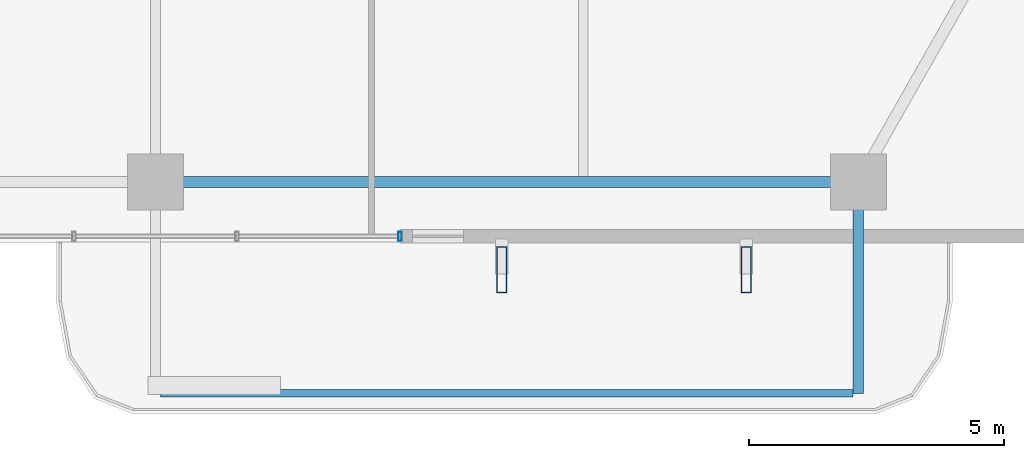
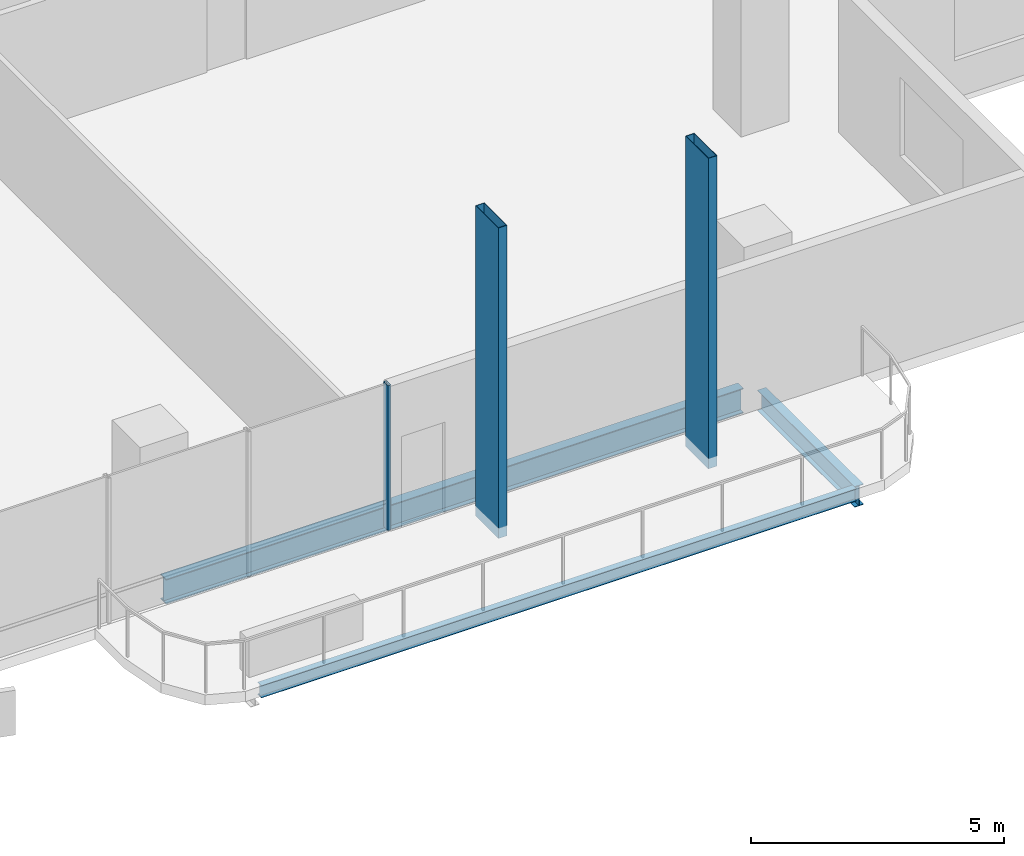
# One storey, part 6 of 24: 3 beams, 3 members, 1 element without a shape of its own.
"""IFC4 building model written with IfcOpenShell, lengths in metres."""

from ifc_helpers import new_model, si_unit, direction, frame, origin, origin_2d, place, context, subcontext, project, spatial, hollow_rectangle, i_section, extrude, material, layer, layer_set, material_profile, profile_set, type_object, element, aggregate, save


model = new_model("IFC4")

# Units and contexts
model_context = context("Model", 3, precision=1e-05, world=origin(), true_north=direction((0.0, 1.0)))
body_context = subcontext(model_context, "Body", "Model", "MODEL_VIEW")
ifc_project = project(units=[si_unit("LENGTHUNIT", "METRE"), si_unit("AREAUNIT", "SQUARE_METRE"), si_unit("VOLUMEUNIT", "CUBIC_METRE"), si_unit("PLANEANGLEUNIT", "RADIAN"), si_unit("MASSUNIT", "GRAM", prefix="KILO")], contexts=[model_context])

# Site, building, storey
site_placement = place(None, origin())
site = spatial("IfcSite", under=ifc_project, at=site_placement, CompositionType="ELEMENT")
building_placement = place(site_placement, origin())
building = spatial("IfcBuilding", under=site, at=building_placement, Name="Belovzor Exchange Tower", CompositionType="ELEMENT")
storey_placement = place(building_placement, frame((0.0, 0.0, 203.699951171875)))
storey = spatial("IfcBuildingStorey", under=building, at=storey_placement, Name="L50", CompositionType="ELEMENT", Elevation=203.699951171875)

# Beams
ifc_material_1 = material(Name="Steel S355", Category="steel")
ifc_material_profile_1 = material_profile(ifc_material_1, i_section(OverallWidth=0.199951171875, OverallDepth=0.5, WebThickness=0.01025390625, FlangeThickness=0.01611328125, at=origin_2d()))
ifc_profile_set_1 = profile_set([ifc_material_profile_1], Name="Steel S355")
beam_type_1 = type_object("IfcBeamType", Name="Planted Balcony Cantilever Beam IPE 500", PredefinedType="BEAM", material=ifc_profile_set_1)
beam_1_placement = place(storey_placement, frame((42.60009765625, 2.697021484375, -0.5), z_axis=(0.0, -1.0, 0.0), x_axis=(1.0, 0.0, 0.0)))
element("IfcBeam", 1, at=beam_1_placement, inside=storey, type_object=beam_type_1, Name="BC-500 Planted Balcony Cantilever Beam IPE 500", PredefinedType="BEAM", context=body_context, shape_type="SweptSolid", body=[
    extrude(i_section(OverallWidth=0.199951171875, OverallDepth=0.5, WebThickness=0.01025390625, FlangeThickness=0.01611328125, at=origin_2d()), origin(), (0.0, 0.0, 1.0), 3.85009765625),
])
ifc_material_2 = material(Name="Steel S355", Category="steel")
ifc_material_profile_2 = material_profile(ifc_material_2, i_section(OverallWidth=0.14990234375, OverallDepth=0.300048828125, WebThickness=0.007080078125, FlangeThickness=0.0107421875, at=origin_2d()))
ifc_profile_set_2 = profile_set([ifc_material_profile_2], Name="Steel S355")
beam_type_2 = type_object("IfcBeamType", Name="Planted Balcony Fascia Edge Beam IPE 300", PredefinedType="BEAM", material=ifc_profile_set_2)
beam_2_placement = place(storey_placement, frame((28.89990234375, -1.153076171875, -0.39990234375), z_axis=(1.0, 0.0, 0.0), x_axis=(0.0, 1.0, 0.0)))
element("IfcBeam", 2, at=beam_2_placement, inside=storey, type_object=beam_type_2, Name="BC-300 Planted Balcony Fascia Edge Beam IPE 300", PredefinedType="BEAM", context=body_context, shape_type="SweptSolid", body=[
    extrude(i_section(OverallWidth=0.14990234375, OverallDepth=0.300048828125, WebThickness=0.007080078125, FlangeThickness=0.0107421875, at=origin_2d()), origin(), (0.0, 0.0, 1.0), 13.60009765625),
])

# Members
ifc_material_3 = material(Name="Extruded Architectural Terracotta on Steel S355 Carrier", Category="masonry")
ifc_material_profile_3 = material_profile(ifc_material_3, hollow_rectangle(XDim=0.199951171875, YDim=0.89990234375, WallThickness=0.011962890625, at=origin_2d()))
ifc_profile_set_3 = profile_set([ifc_material_profile_3], Name="Extruded Architectural Terracotta on Steel S355 Carrier")
member_type_1 = type_object("IfcMemberType", Name="Sweeping Terracotta Baguette Fin Assembly 950", PredefinedType="USERDEFINED", material=ifc_profile_set_3)
for number, where, z_axis, x_axis, name in (
    (3, (35.60009765625, 1.27490234375, -0.25), (0.0, 0.0, 1.0), (1.0, 0.0, 0.0), "FIN-TC095 Terracotta Facade Fin L50 S3"),
    (4, (40.39990234375, 1.27490234375, -0.25), (0.0, 0.0, 1.0), (1.0, 0.0, 0.0), "FIN-TC095 Terracotta Facade Fin L50 S4"),
):
    element("IfcMember", number, at=place(storey_placement, frame(where, z_axis=z_axis, x_axis=x_axis)), inside=storey, type_object=member_type_1, Name=name, ObjectType="FIN", PredefinedType="USERDEFINED", context=body_context, shape_type="SweptSolid", body=[
        extrude(hollow_rectangle(XDim=0.199951171875, YDim=0.89990234375, WallThickness=0.011962890625, at=origin_2d()), origin(), (0.0, 0.0, 1.0), 7.5),
    ])

# Curtain wall, member
ifc_material_4 = material(Name="Anodised Aluminium Framing", Category="aluminium")
ifc_layer = layer(ifc_material_4, 0.179931640625)
ifc_layer_set = layer_set([ifc_layer], Name="Anodised Aluminium Framing")
curtain_wall_type = type_object("IfcCurtainWallType", Name="Recessed Loggia Low-Iron Triple-Glazed Curtain Wall", PredefinedType="NOTDEFINED", material=ifc_layer_set)
curtain_wall_placement = place(storey_placement, origin())
curtain_wall = element("IfcCurtainWall", 5, at=curtain_wall_placement, inside=storey, type_object=curtain_wall_type, Name="CW3 Recessed Loggia Low-Iron Triple-Glazed Curtain Wall L50", PredefinedType="NOTDEFINED")
ifc_material_5 = material(Name="Steel S355", Category="steel")
ifc_material_profile_4 = material_profile(ifc_material_5, hollow_rectangle(XDim=0.074951171875, YDim=0.179931640625, WallThickness=0.0048828125, at=origin_2d()))
ifc_profile_set_4 = profile_set([ifc_material_profile_4], Name="Steel S355")
member_type_2 = type_object("IfcMemberType", Name="Thermally Broken Curtain Wall Mullion 180x75", PredefinedType="MULLION", material=ifc_profile_set_4)
member_placement = place(storey_placement, frame((33.60009765625, 1.929931640625, 0.0), z_axis=(0.0, 0.0, 1.0), x_axis=(-1.0, 0.0, 0.0)))
member = element("IfcMember", 6, at=member_placement, type_object=member_type_2, Name="CW-M180 Curtain Wall Mullion 1", PredefinedType="MULLION", context=body_context, shape_type="SweptSolid", body=[
    extrude(hollow_rectangle(XDim=0.074951171875, YDim=0.179931640625, WallThickness=0.0048828125, at=origin_2d()), origin(), (0.0, 0.0, 1.0), 3.5),
])
aggregate(curtain_wall, [member])

# Beam
ifc_material_6 = material(Name="Steel S355", Category="steel")
ifc_material_profile_5 = material_profile(ifc_material_6, i_section(OverallWidth=0.219970703125, OverallDepth=0.60009765625, WebThickness=0.011962890625, FlangeThickness=0.01904296875, at=origin_2d()))
ifc_profile_set_5 = profile_set([ifc_material_profile_5], Name="Steel S355")
beam_type_3 = type_object("IfcBeamType", Name="Zone 4 Flare Primary Girder IPE 600", PredefinedType="BEAM", material=ifc_profile_set_5)
beam_3_placement = place(storey_placement, frame((29.10205078125, 3.0, -0.550048828125), z_axis=(1.0, 0.0, 0.0), x_axis=(0.0, 1.0, 0.0)))
element("IfcBeam", 7, at=beam_3_placement, inside=storey, type_object=beam_type_3, Name="FG-Z4 Zone 4 Flare Primary Girder IPE 600", PredefinedType="BEAM", context=body_context, shape_type="SweptSolid", body=[
    extrude(i_section(OverallWidth=0.219970703125, OverallDepth=0.60009765625, WebThickness=0.011962890625, FlangeThickness=0.01904296875, at=origin_2d()), origin(), (0.0, 0.0, 1.0), 13.195068359375),
])

save(model, "model.ifc")
